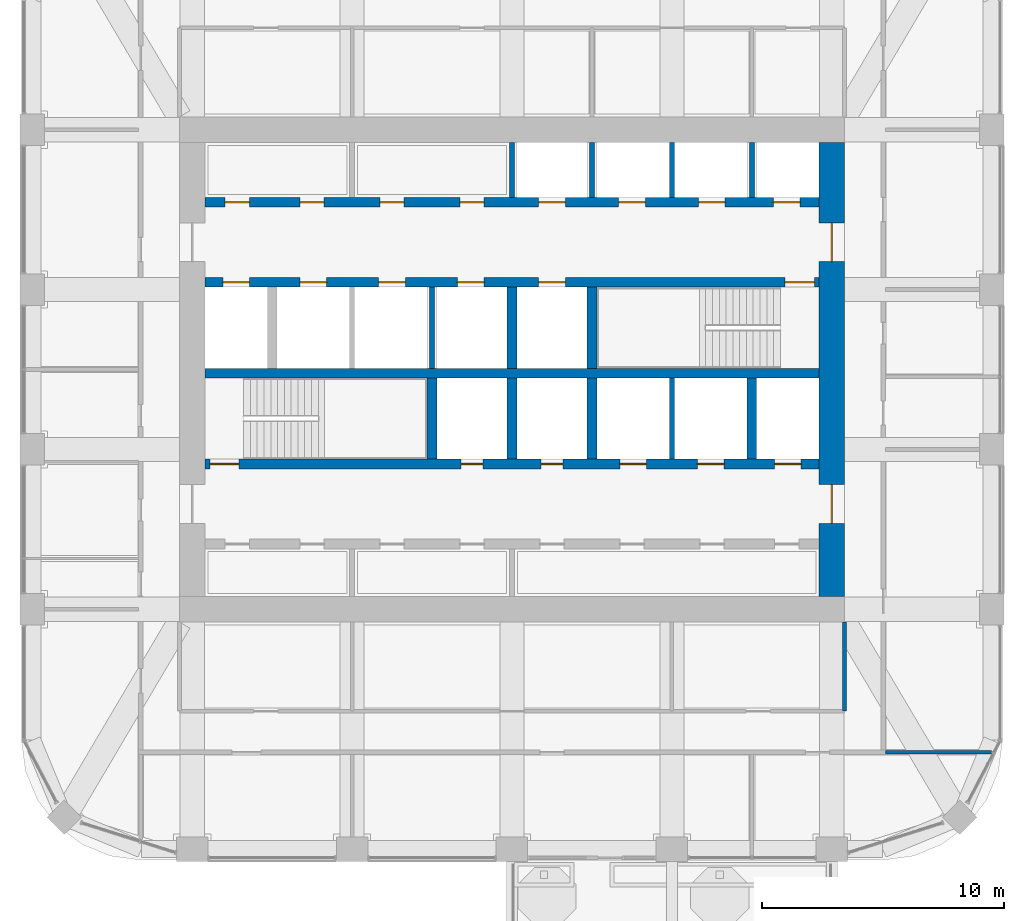
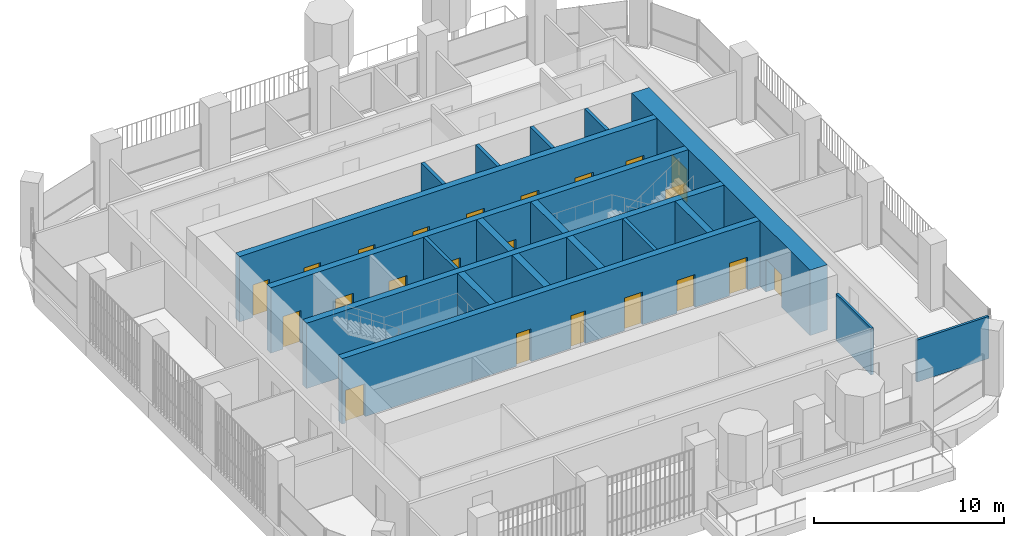
# One storey, part 15 of 21: 22 doors, 19 walls, 22 openings.
"""IFC4 building model written with IfcOpenShell, lengths in metres."""

from ifc_helpers import new_model, si_unit, direction, frame, frame_2d, origin, place, context, subcontext, project, spatial, rectangle, extrude, material, layer, layer_set, type_object, element, fill, save


model = new_model("IFC4")

# Units and contexts
model_context = context("Model", 3, precision=1e-05, world=origin(), true_north=direction((0.0, 1.0)))
body_context = subcontext(model_context, "Body", "Model", "MODEL_VIEW")
ifc_project = project(units=[si_unit("LENGTHUNIT", "METRE"), si_unit("AREAUNIT", "SQUARE_METRE"), si_unit("VOLUMEUNIT", "CUBIC_METRE"), si_unit("PLANEANGLEUNIT", "RADIAN"), si_unit("MASSUNIT", "GRAM", prefix="KILO")], contexts=[model_context])

# Site, building, storey
site_placement = place(None, origin())
site = spatial("IfcSite", under=ifc_project, at=site_placement, CompositionType="ELEMENT")
building_placement = place(site_placement, origin())
building = spatial("IfcBuilding", under=site, at=building_placement, Name="Cobogo Forest Laboratory Tower", CompositionType="ELEMENT")
storey_placement = place(building_placement, frame((0.0, 0.0, 241.800048828125)))
storey = spatial("IfcBuildingStorey", under=building, at=storey_placement, Name="L55", CompositionType="ELEMENT", Elevation=241.800048828125)

# Wall, openings, doors
ifc_material_1 = material(Name="Concrete HA-50 (C50/60)", Category="concrete")
ifc_layer_1 = layer(ifc_material_1, 0.39990234375)
ifc_layer_set_1 = layer_set([ifc_layer_1], Name="CI400 core inner wall 400")
wall_type_1 = type_object("IfcWallType", Name="CI400 core inner wall 400", PredefinedType="SHEAR", material=ifc_layer_set_1)
wall_1_placement = place(storey_placement, frame((13.72509765625, 19.199951171875, 0.0), z_axis=(0.0, 0.0, 1.0), x_axis=(1.0, 0.0, 0.0)))
wall_1 = element("IfcWall", 1, at=wall_1_placement, inside=storey, type_object=wall_type_1, Name="Core wall CI-19.2 L55", PredefinedType="SHEAR", context=body_context, shape_type="SweptSolid", body=[
    extrude(rectangle(XDim=25.349853515625, YDim=0.39990234375, at=frame_2d((12.6748046875, 0.0))), origin(), (0.0, 0.0, 1.0), 4.199951171875),
])
opening_1_placement = place(wall_1_placement, frame((10.574951171875, 0.0, 0.0)))
opening_1 = element("IfcOpeningElement", 2, at=opening_1_placement, cuts=wall_1, Name="Opening L55-D23", PredefinedType="OPENING", context=body_context, shape_type="SweptSolid", body=[
    extrude(rectangle(XDim=0.89990234375, YDim=2.10009765625, at=frame_2d((0.449951171875, 1.050048828125))), frame((0.0, 0.2099609375, 0.0), z_axis=(0.0, -1.0, 0.0), x_axis=(1.0, 0.0, 0.0)), (0.0, 0.0, 1.0), 0.419921875),
])
opening_2_placement = place(wall_1_placement, frame((13.875, 0.0, 0.0)))
opening_2 = element("IfcOpeningElement", 3, at=opening_2_placement, cuts=wall_1, Name="Opening L55-D24", PredefinedType="OPENING", context=body_context, shape_type="SweptSolid", body=[
    extrude(rectangle(XDim=0.89990234375, YDim=2.10009765625, at=frame_2d((0.449951171875, 1.050048828125))), frame((0.0, 0.2099609375, 0.0), z_axis=(0.0, -1.0, 0.0), x_axis=(1.0, 0.0, 0.0)), (0.0, 0.0, 1.0), 0.419921875),
])
opening_3_placement = place(wall_1_placement, frame((0.199951171875, 0.0, 0.0)))
opening_3 = element("IfcOpeningElement", 4, at=opening_3_placement, cuts=wall_1, Name="Opening L55-D22", PredefinedType="OPENING", context=body_context, shape_type="SweptSolid", body=[
    extrude(rectangle(XDim=1.199951171875, YDim=2.10009765625, at=frame_2d((0.60009765625, 1.050048828125))), frame((0.0, 0.2099609375, 0.0), z_axis=(0.0, -1.0, 0.0), x_axis=(1.0, 0.0, 0.0)), (0.0, 0.0, 1.0), 0.419921875),
])
opening_4_placement = place(wall_1_placement, frame((23.512451171875, 0.0, 0.0)))
opening_4 = element("IfcOpeningElement", 5, at=opening_4_placement, cuts=wall_1, Name="Opening L55-LD-FL2", PredefinedType="OPENING", context=body_context, shape_type="SweptSolid", body=[
    extrude(rectangle(XDim=1.10009765625, YDim=2.10009765625, at=frame_2d((0.550048828125, 1.050048828125))), frame((0.0, 0.2099609375, 0.0), z_axis=(0.0, -1.0, 0.0), x_axis=(1.0, 0.0, 0.0)), (0.0, 0.0, 1.0), 0.419921875),
])
opening_5_placement = place(wall_1_placement, frame((17.125, 0.0, 0.0)))
opening_5 = element("IfcOpeningElement", 6, at=opening_5_placement, cuts=wall_1, Name="Opening L55-LD-LS1", PredefinedType="OPENING", context=body_context, shape_type="SweptSolid", body=[
    extrude(rectangle(XDim=1.10009765625, YDim=2.10009765625, at=frame_2d((0.550048828125, 1.050048828125))), frame((0.0, 0.2099609375, 0.0), z_axis=(0.0, -1.0, 0.0), x_axis=(1.0, 0.0, 0.0)), (0.0, 0.0, 1.0), 0.419921875),
])
opening_6_placement = place(wall_1_placement, frame((20.324951171875, 0.0, 0.0)))
opening_6 = element("IfcOpeningElement", 7, at=opening_6_placement, cuts=wall_1, Name="Opening L55-LD-LS2", PredefinedType="OPENING", context=body_context, shape_type="SweptSolid", body=[
    extrude(rectangle(XDim=1.10009765625, YDim=2.10009765625, at=frame_2d((0.550048828125, 1.050048828125))), frame((0.0, 0.2099609375, 0.0), z_axis=(0.0, -1.0, 0.0), x_axis=(1.0, 0.0, 0.0)), (0.0, 0.0, 1.0), 0.419921875),
])
ifc_material_2 = material(Name="Steel fire door", Category="steel")
door_type_1 = type_object("IfcDoorType", Name="DS1 protected stair door 1200 EI2 60", OperationType="SINGLE_SWING_LEFT", PredefinedType="DOOR", material=ifc_material_2)
door_1_placement = place(opening_3_placement, origin())
door_1 = element("IfcDoor", 8, at=door_1_placement, inside=storey, type_object=door_type_1, Name="Door L55-ST1", OperationType="SINGLE_SWING_LEFT", OverallHeight=2.10009765625, OverallWidth=1.199951171875, PredefinedType="DOOR", context=body_context, shape_type="SweptSolid", body=[
    extrude(rectangle(XDim=1.199951171875, YDim=2.10009765625, at=frame_2d((0.60009765625, 1.050048828125))), frame((0.0, 0.02490234375, 0.0), z_axis=(0.0, -1.0, 0.0), x_axis=(1.0, 0.0, 0.0)), (0.0, 0.0, 1.0), 0.050048828125),
])
fill(opening_3, door_1)
door_type_2 = type_object("IfcDoorType", Name="FD4 riser access door 900 EI2 60", OperationType="SINGLE_SWING_LEFT", PredefinedType="DOOR", material=ifc_material_2)
door_2_placement = place(opening_1_placement, origin())
door_2 = element("IfcDoor", 9, at=door_2_placement, inside=storey, type_object=door_type_2, Name="Door L55-R1", OperationType="SINGLE_SWING_LEFT", OverallHeight=2.10009765625, OverallWidth=0.89990234375, PredefinedType="DOOR", context=body_context, shape_type="SweptSolid", body=[
    extrude(rectangle(XDim=0.89990234375, YDim=2.10009765625, at=frame_2d((0.449951171875, 1.050048828125))), frame((0.0, 0.02490234375, 0.0), z_axis=(0.0, -1.0, 0.0), x_axis=(1.0, 0.0, 0.0)), (0.0, 0.0, 1.0), 0.050048828125),
])
fill(opening_1, door_2)
door_3_placement = place(opening_2_placement, origin())
door_3 = element("IfcDoor", 10, at=door_3_placement, inside=storey, type_object=door_type_2, Name="Door L55-R2", OperationType="SINGLE_SWING_RIGHT", OverallHeight=2.10009765625, OverallWidth=0.89990234375, PredefinedType="DOOR", context=body_context, shape_type="SweptSolid", body=[
    extrude(rectangle(XDim=0.89990234375, YDim=2.10009765625, at=frame_2d((0.449951171875, 1.050048828125))), frame((0.0, 0.02490234375, 0.0), z_axis=(0.0, -1.0, 0.0), x_axis=(1.0, 0.0, 0.0)), (0.0, 0.0, 1.0), 0.050048828125),
])
fill(opening_2, door_3)
ifc_material_3 = material(Name="Stainless steel lift door", Category="steel")
door_type_3 = type_object("IfcDoorType", Name="LD lift landing door 1100", OperationType="DOUBLE_DOOR_SLIDING", PredefinedType="DOOR", material=ifc_material_3)
door_4_placement = place(opening_4_placement, origin())
door_4 = element("IfcDoor", 11, at=door_4_placement, inside=storey, type_object=door_type_3, Name="Lift landing door FL2 L55", OperationType="DOUBLE_DOOR_SLIDING", OverallHeight=2.10009765625, OverallWidth=1.10009765625, PredefinedType="DOOR", context=body_context, shape_type="SweptSolid", body=[
    extrude(rectangle(XDim=1.10009765625, YDim=2.10009765625, at=frame_2d((0.550048828125, 1.050048828125))), frame((0.0, 0.02490234375, 0.0), z_axis=(0.0, -1.0, 0.0), x_axis=(1.0, 0.0, 0.0)), (0.0, 0.0, 1.0), 0.050048828125),
])
fill(opening_4, door_4)
door_5_placement = place(opening_5_placement, origin())
door_5 = element("IfcDoor", 12, at=door_5_placement, inside=storey, type_object=door_type_3, Name="Lift landing door LS1 L55", OperationType="DOUBLE_DOOR_SLIDING", OverallHeight=2.10009765625, OverallWidth=1.10009765625, PredefinedType="DOOR", context=body_context, shape_type="SweptSolid", body=[
    extrude(rectangle(XDim=1.10009765625, YDim=2.10009765625, at=frame_2d((0.550048828125, 1.050048828125))), frame((0.0, 0.02490234375, 0.0), z_axis=(0.0, -1.0, 0.0), x_axis=(1.0, 0.0, 0.0)), (0.0, 0.0, 1.0), 0.050048828125),
])
fill(opening_5, door_5)
door_6_placement = place(opening_6_placement, origin())
door_6 = element("IfcDoor", 13, at=door_6_placement, inside=storey, type_object=door_type_3, Name="Lift landing door LS2 L55", OperationType="DOUBLE_DOOR_SLIDING", OverallHeight=2.10009765625, OverallWidth=1.10009765625, PredefinedType="DOOR", context=body_context, shape_type="SweptSolid", body=[
    extrude(rectangle(XDim=1.10009765625, YDim=2.10009765625, at=frame_2d((0.550048828125, 1.050048828125))), frame((0.0, 0.02490234375, 0.0), z_axis=(0.0, -1.0, 0.0), x_axis=(1.0, 0.0, 0.0)), (0.0, 0.0, 1.0), 0.050048828125),
])
fill(opening_6, door_6)

# Wall
wall_2_placement = place(storey_placement, frame((13.72509765625, 22.949951171875, 0.0), z_axis=(0.0, 0.0, 1.0), x_axis=(1.0, 0.0, 0.0)))
element("IfcWall", 14, at=wall_2_placement, inside=storey, type_object=wall_type_1, Name="Core wall CI-22.95 L55", PredefinedType="SHEAR", context=body_context, shape_type="SweptSolid", body=[
    extrude(rectangle(XDim=25.349853515625, YDim=0.39990234375, at=frame_2d((12.6748046875, 0.0))), origin(), (0.0, 0.0, 1.0), 4.199951171875),
])

# Wall, openings, doors
wall_3_placement = place(storey_placement, frame((13.72509765625, 26.699951171875, 0.0), z_axis=(0.0, 0.0, 1.0), x_axis=(1.0, 0.0, 0.0)))
wall_3 = element("IfcWall", 15, at=wall_3_placement, inside=storey, type_object=wall_type_1, Name="Core wall CI-26.7 L55", PredefinedType="SHEAR", context=body_context, shape_type="SweptSolid", body=[
    extrude(rectangle(XDim=25.349853515625, YDim=0.39990234375, at=frame_2d((12.6748046875, 0.0))), origin(), (0.0, 0.0, 1.0), 4.199951171875),
])
opening_7_placement = place(wall_3_placement, frame((23.949951171875, 0.0, 0.0)))
opening_7 = element("IfcOpeningElement", 16, at=opening_7_placement, cuts=wall_3, Name="Opening L55-D28", PredefinedType="OPENING", context=body_context, shape_type="SweptSolid", body=[
    extrude(rectangle(XDim=1.199951171875, YDim=2.10009765625, at=frame_2d((0.60009765625, 1.050048828125))), frame((0.0, 0.2099609375, 0.0), z_axis=(0.0, -1.0, 0.0), x_axis=(1.0, 0.0, 0.0)), (0.0, 0.0, 1.0), 0.419921875),
])
opening_8_placement = place(wall_3_placement, frame((0.737548828125, 0.0, 0.0)))
opening_8 = element("IfcOpeningElement", 17, at=opening_8_placement, cuts=wall_3, Name="Opening L55-LD-FL1", PredefinedType="OPENING", context=body_context, shape_type="SweptSolid", body=[
    extrude(rectangle(XDim=1.10009765625, YDim=2.10009765625, at=frame_2d((0.550048828125, 1.050048828125))), frame((0.0, 0.2099609375, 0.0), z_axis=(0.0, -1.0, 0.0), x_axis=(1.0, 0.0, 0.0)), (0.0, 0.0, 1.0), 0.419921875),
])
opening_9_placement = place(wall_3_placement, frame((3.925048828125, 0.0, 0.0)))
opening_9 = element("IfcOpeningElement", 18, at=opening_9_placement, cuts=wall_3, Name="Opening L55-LD-LS3", PredefinedType="OPENING", context=body_context, shape_type="SweptSolid", body=[
    extrude(rectangle(XDim=1.10009765625, YDim=2.10009765625, at=frame_2d((0.550048828125, 1.050048828125))), frame((0.0, 0.2099609375, 0.0), z_axis=(0.0, -1.0, 0.0), x_axis=(1.0, 0.0, 0.0)), (0.0, 0.0, 1.0), 0.419921875),
])
opening_10_placement = place(wall_3_placement, frame((7.175048828125, 0.0, 0.0)))
opening_10 = element("IfcOpeningElement", 19, at=opening_10_placement, cuts=wall_3, Name="Opening L55-LD-LS4", PredefinedType="OPENING", context=body_context, shape_type="SweptSolid", body=[
    extrude(rectangle(XDim=1.10009765625, YDim=2.10009765625, at=frame_2d((0.550048828125, 1.050048828125))), frame((0.0, 0.2099609375, 0.0), z_axis=(0.0, -1.0, 0.0), x_axis=(1.0, 0.0, 0.0)), (0.0, 0.0, 1.0), 0.419921875),
])
opening_11_placement = place(wall_3_placement, frame((10.425048828125, 0.0, 0.0)))
opening_11 = element("IfcOpeningElement", 20, at=opening_11_placement, cuts=wall_3, Name="Opening L55-LD-LS5", PredefinedType="OPENING", context=body_context, shape_type="SweptSolid", body=[
    extrude(rectangle(XDim=1.10009765625, YDim=2.10009765625, at=frame_2d((0.550048828125, 1.050048828125))), frame((0.0, 0.2099609375, 0.0), z_axis=(0.0, -1.0, 0.0), x_axis=(1.0, 0.0, 0.0)), (0.0, 0.0, 1.0), 0.419921875),
])
opening_12_placement = place(wall_3_placement, frame((13.77490234375, 0.0, 0.0)))
opening_12 = element("IfcOpeningElement", 21, at=opening_12_placement, cuts=wall_3, Name="Opening L55-LD-LS6", PredefinedType="OPENING", context=body_context, shape_type="SweptSolid", body=[
    extrude(rectangle(XDim=1.10009765625, YDim=2.10009765625, at=frame_2d((0.550048828125, 1.050048828125))), frame((0.0, 0.2099609375, 0.0), z_axis=(0.0, -1.0, 0.0), x_axis=(1.0, 0.0, 0.0)), (0.0, 0.0, 1.0), 0.419921875),
])
door_7_placement = place(opening_7_placement, origin())
door_7 = element("IfcDoor", 22, at=door_7_placement, inside=storey, type_object=door_type_1, Name="Door L55-ST2", OperationType="SINGLE_SWING_RIGHT", OverallHeight=2.10009765625, OverallWidth=1.199951171875, PredefinedType="DOOR", context=body_context, shape_type="SweptSolid", body=[
    extrude(rectangle(XDim=1.199951171875, YDim=2.10009765625, at=frame_2d((0.60009765625, 1.050048828125))), frame((0.0, 0.02490234375, 0.0), z_axis=(0.0, -1.0, 0.0), x_axis=(1.0, 0.0, 0.0)), (0.0, 0.0, 1.0), 0.050048828125),
])
fill(opening_7, door_7)
door_8_placement = place(opening_8_placement, origin())
door_8 = element("IfcDoor", 23, at=door_8_placement, inside=storey, type_object=door_type_3, Name="Lift landing door FL1 L55", OperationType="DOUBLE_DOOR_SLIDING", OverallHeight=2.10009765625, OverallWidth=1.10009765625, PredefinedType="DOOR", context=body_context, shape_type="SweptSolid", body=[
    extrude(rectangle(XDim=1.10009765625, YDim=2.10009765625, at=frame_2d((0.550048828125, 1.050048828125))), frame((0.0, 0.02490234375, 0.0), z_axis=(0.0, -1.0, 0.0), x_axis=(1.0, 0.0, 0.0)), (0.0, 0.0, 1.0), 0.050048828125),
])
fill(opening_8, door_8)
door_9_placement = place(opening_9_placement, origin())
door_9 = element("IfcDoor", 24, at=door_9_placement, inside=storey, type_object=door_type_3, Name="Lift landing door LS3 L55", OperationType="DOUBLE_DOOR_SLIDING", OverallHeight=2.10009765625, OverallWidth=1.10009765625, PredefinedType="DOOR", context=body_context, shape_type="SweptSolid", body=[
    extrude(rectangle(XDim=1.10009765625, YDim=2.10009765625, at=frame_2d((0.550048828125, 1.050048828125))), frame((0.0, 0.02490234375, 0.0), z_axis=(0.0, -1.0, 0.0), x_axis=(1.0, 0.0, 0.0)), (0.0, 0.0, 1.0), 0.050048828125),
])
fill(opening_9, door_9)
door_10_placement = place(opening_10_placement, origin())
door_10 = element("IfcDoor", 25, at=door_10_placement, inside=storey, type_object=door_type_3, Name="Lift landing door LS4 L55", OperationType="DOUBLE_DOOR_SLIDING", OverallHeight=2.10009765625, OverallWidth=1.10009765625, PredefinedType="DOOR", context=body_context, shape_type="SweptSolid", body=[
    extrude(rectangle(XDim=1.10009765625, YDim=2.10009765625, at=frame_2d((0.550048828125, 1.050048828125))), frame((0.0, 0.02490234375, 0.0), z_axis=(0.0, -1.0, 0.0), x_axis=(1.0, 0.0, 0.0)), (0.0, 0.0, 1.0), 0.050048828125),
])
fill(opening_10, door_10)
door_11_placement = place(opening_11_placement, origin())
door_11 = element("IfcDoor", 26, at=door_11_placement, inside=storey, type_object=door_type_3, Name="Lift landing door LS5 L55", OperationType="DOUBLE_DOOR_SLIDING", OverallHeight=2.10009765625, OverallWidth=1.10009765625, PredefinedType="DOOR", context=body_context, shape_type="SweptSolid", body=[
    extrude(rectangle(XDim=1.10009765625, YDim=2.10009765625, at=frame_2d((0.550048828125, 1.050048828125))), frame((0.0, 0.02490234375, 0.0), z_axis=(0.0, -1.0, 0.0), x_axis=(1.0, 0.0, 0.0)), (0.0, 0.0, 1.0), 0.050048828125),
])
fill(opening_11, door_11)
door_12_placement = place(opening_12_placement, origin())
door_12 = element("IfcDoor", 27, at=door_12_placement, inside=storey, type_object=door_type_3, Name="Lift landing door LS6 L55", OperationType="DOUBLE_DOOR_SLIDING", OverallHeight=2.10009765625, OverallWidth=1.10009765625, PredefinedType="DOOR", context=body_context, shape_type="SweptSolid", body=[
    extrude(rectangle(XDim=1.10009765625, YDim=2.10009765625, at=frame_2d((0.550048828125, 1.050048828125))), frame((0.0, 0.02490234375, 0.0), z_axis=(0.0, -1.0, 0.0), x_axis=(1.0, 0.0, 0.0)), (0.0, 0.0, 1.0), 0.050048828125),
])
fill(opening_12, door_12)

wall_4_placement = place(storey_placement, frame((13.72509765625, 30.0, 0.0), z_axis=(0.0, 0.0, 1.0), x_axis=(1.0, 0.0, 0.0)))
wall_4 = element("IfcWall", 28, at=wall_4_placement, inside=storey, type_object=wall_type_1, Name="Core wall CI-30.0 L55", PredefinedType="SHEAR", context=body_context, shape_type="SweptSolid", body=[
    extrude(rectangle(XDim=25.349853515625, YDim=0.39990234375, at=frame_2d((12.6748046875, 0.0))), origin(), (0.0, 0.0, 1.0), 4.199951171875),
])
opening_13_placement = place(wall_4_placement, frame((0.83740234375, 0.0, 0.0)))
opening_13 = element("IfcOpeningElement", 29, at=opening_13_placement, cuts=wall_4, Name="Opening L55-D33", PredefinedType="OPENING", context=body_context, shape_type="SweptSolid", body=[
    extrude(rectangle(XDim=1.0, YDim=2.10009765625, at=frame_2d((0.5, 1.050048828125))), frame((0.0, 0.2099609375, 0.0), z_axis=(0.0, -1.0, 0.0), x_axis=(1.0, 0.0, 0.0)), (0.0, 0.0, 1.0), 0.419921875),
])
opening_14_placement = place(wall_4_placement, frame((3.925048828125, 0.0, 0.0)))
opening_14 = element("IfcOpeningElement", 30, at=opening_14_placement, cuts=wall_4, Name="Opening L55-D34", PredefinedType="OPENING", context=body_context, shape_type="SweptSolid", body=[
    extrude(rectangle(XDim=1.0, YDim=2.10009765625, at=frame_2d((0.5, 1.050048828125))), frame((0.0, 0.2099609375, 0.0), z_axis=(0.0, -1.0, 0.0), x_axis=(1.0, 0.0, 0.0)), (0.0, 0.0, 1.0), 0.419921875),
])
opening_15_placement = place(wall_4_placement, frame((7.22509765625, 0.0, 0.0)))
opening_15 = element("IfcOpeningElement", 31, at=opening_15_placement, cuts=wall_4, Name="Opening L55-D35", PredefinedType="OPENING", context=body_context, shape_type="SweptSolid", body=[
    extrude(rectangle(XDim=1.0, YDim=2.10009765625, at=frame_2d((0.5, 1.050048828125))), frame((0.0, 0.2099609375, 0.0), z_axis=(0.0, -1.0, 0.0), x_axis=(1.0, 0.0, 0.0)), (0.0, 0.0, 1.0), 0.419921875),
])
opening_16_placement = place(wall_4_placement, frame((10.52490234375, 0.0, 0.0)))
opening_16 = element("IfcOpeningElement", 32, at=opening_16_placement, cuts=wall_4, Name="Opening L55-D36", PredefinedType="OPENING", context=body_context, shape_type="SweptSolid", body=[
    extrude(rectangle(XDim=1.0, YDim=2.10009765625, at=frame_2d((0.5, 1.050048828125))), frame((0.0, 0.2099609375, 0.0), z_axis=(0.0, -1.0, 0.0), x_axis=(1.0, 0.0, 0.0)), (0.0, 0.0, 1.0), 0.419921875),
])
opening_17_placement = place(wall_4_placement, frame((13.77490234375, 0.0, 0.0)))
opening_17 = element("IfcOpeningElement", 33, at=opening_17_placement, cuts=wall_4, Name="Opening L55-LD-LD1", PredefinedType="OPENING", context=body_context, shape_type="SweptSolid", body=[
    extrude(rectangle(XDim=1.10009765625, YDim=2.10009765625, at=frame_2d((0.550048828125, 1.050048828125))), frame((0.0, 0.2099609375, 0.0), z_axis=(0.0, -1.0, 0.0), x_axis=(1.0, 0.0, 0.0)), (0.0, 0.0, 1.0), 0.419921875),
])
opening_18_placement = place(wall_4_placement, frame((17.074951171875, 0.0, 0.0)))
opening_18 = element("IfcOpeningElement", 34, at=opening_18_placement, cuts=wall_4, Name="Opening L55-LD-LD2", PredefinedType="OPENING", context=body_context, shape_type="SweptSolid", body=[
    extrude(rectangle(XDim=1.10009765625, YDim=2.10009765625, at=frame_2d((0.550048828125, 1.050048828125))), frame((0.0, 0.2099609375, 0.0), z_axis=(0.0, -1.0, 0.0), x_axis=(1.0, 0.0, 0.0)), (0.0, 0.0, 1.0), 0.419921875),
])
opening_19_placement = place(wall_4_placement, frame((20.375, 0.0, 0.0)))
opening_19 = element("IfcOpeningElement", 35, at=opening_19_placement, cuts=wall_4, Name="Opening L55-LD-LD3", PredefinedType="OPENING", context=body_context, shape_type="SweptSolid", body=[
    extrude(rectangle(XDim=1.10009765625, YDim=2.10009765625, at=frame_2d((0.550048828125, 1.050048828125))), frame((0.0, 0.2099609375, 0.0), z_axis=(0.0, -1.0, 0.0), x_axis=(1.0, 0.0, 0.0)), (0.0, 0.0, 1.0), 0.419921875),
])
opening_20_placement = place(wall_4_placement, frame((23.46240234375, 0.0, 0.0)))
opening_20 = element("IfcOpeningElement", 36, at=opening_20_placement, cuts=wall_4, Name="Opening L55-LD-LD4", PredefinedType="OPENING", context=body_context, shape_type="SweptSolid", body=[
    extrude(rectangle(XDim=1.10009765625, YDim=2.10009765625, at=frame_2d((0.550048828125, 1.050048828125))), frame((0.0, 0.2099609375, 0.0), z_axis=(0.0, -1.0, 0.0), x_axis=(1.0, 0.0, 0.0)), (0.0, 0.0, 1.0), 0.419921875),
])
door_type_4 = type_object("IfcDoorType", Name="FD1 fire door 1000 EI2 60", OperationType="SINGLE_SWING_LEFT", PredefinedType="DOOR", material=ifc_material_2)
door_13_placement = place(opening_13_placement, origin())
door_13 = element("IfcDoor", 37, at=door_13_placement, inside=storey, type_object=door_type_4, Name="Door L55-SH-LC1", OperationType="SINGLE_SWING_LEFT", OverallHeight=2.10009765625, OverallWidth=1.0, PredefinedType="DOOR", context=body_context, shape_type="SweptSolid", body=[
    extrude(rectangle(XDim=1.0, YDim=2.10009765625, at=frame_2d((0.5, 1.050048828125))), frame((0.0, 0.02490234375, 0.0), z_axis=(0.0, -1.0, 0.0), x_axis=(1.0, 0.0, 0.0)), (0.0, 0.0, 1.0), 0.050048828125),
])
fill(opening_13, door_13)
door_14_placement = place(opening_14_placement, origin())
door_14 = element("IfcDoor", 38, at=door_14_placement, inside=storey, type_object=door_type_4, Name="Door L55-SH-LC2", OperationType="SINGLE_SWING_LEFT", OverallHeight=2.10009765625, OverallWidth=1.0, PredefinedType="DOOR", context=body_context, shape_type="SweptSolid", body=[
    extrude(rectangle(XDim=1.0, YDim=2.10009765625, at=frame_2d((0.5, 1.050048828125))), frame((0.0, 0.02490234375, 0.0), z_axis=(0.0, -1.0, 0.0), x_axis=(1.0, 0.0, 0.0)), (0.0, 0.0, 1.0), 0.050048828125),
])
fill(opening_14, door_14)
door_15_placement = place(opening_15_placement, origin())
door_15 = element("IfcDoor", 39, at=door_15_placement, inside=storey, type_object=door_type_4, Name="Door L55-SH-LC3", OperationType="SINGLE_SWING_LEFT", OverallHeight=2.10009765625, OverallWidth=1.0, PredefinedType="DOOR", context=body_context, shape_type="SweptSolid", body=[
    extrude(rectangle(XDim=1.0, YDim=2.10009765625, at=frame_2d((0.5, 1.050048828125))), frame((0.0, 0.02490234375, 0.0), z_axis=(0.0, -1.0, 0.0), x_axis=(1.0, 0.0, 0.0)), (0.0, 0.0, 1.0), 0.050048828125),
])
fill(opening_15, door_15)
door_16_placement = place(opening_16_placement, origin())
door_16 = element("IfcDoor", 40, at=door_16_placement, inside=storey, type_object=door_type_4, Name="Door L55-SH-LC4", OperationType="SINGLE_SWING_LEFT", OverallHeight=2.10009765625, OverallWidth=1.0, PredefinedType="DOOR", context=body_context, shape_type="SweptSolid", body=[
    extrude(rectangle(XDim=1.0, YDim=2.10009765625, at=frame_2d((0.5, 1.050048828125))), frame((0.0, 0.02490234375, 0.0), z_axis=(0.0, -1.0, 0.0), x_axis=(1.0, 0.0, 0.0)), (0.0, 0.0, 1.0), 0.050048828125),
])
fill(opening_16, door_16)
door_17_placement = place(opening_17_placement, origin())
door_17 = element("IfcDoor", 41, at=door_17_placement, inside=storey, type_object=door_type_3, Name="Lift landing door LD1 L55", OperationType="DOUBLE_DOOR_SLIDING", OverallHeight=2.10009765625, OverallWidth=1.10009765625, PredefinedType="DOOR", context=body_context, shape_type="SweptSolid", body=[
    extrude(rectangle(XDim=1.10009765625, YDim=2.10009765625, at=frame_2d((0.550048828125, 1.050048828125))), frame((0.0, 0.02490234375, 0.0), z_axis=(0.0, -1.0, 0.0), x_axis=(1.0, 0.0, 0.0)), (0.0, 0.0, 1.0), 0.050048828125),
])
fill(opening_17, door_17)
door_18_placement = place(opening_18_placement, origin())
door_18 = element("IfcDoor", 42, at=door_18_placement, inside=storey, type_object=door_type_3, Name="Lift landing door LD2 L55", OperationType="DOUBLE_DOOR_SLIDING", OverallHeight=2.10009765625, OverallWidth=1.10009765625, PredefinedType="DOOR", context=body_context, shape_type="SweptSolid", body=[
    extrude(rectangle(XDim=1.10009765625, YDim=2.10009765625, at=frame_2d((0.550048828125, 1.050048828125))), frame((0.0, 0.02490234375, 0.0), z_axis=(0.0, -1.0, 0.0), x_axis=(1.0, 0.0, 0.0)), (0.0, 0.0, 1.0), 0.050048828125),
])
fill(opening_18, door_18)
door_19_placement = place(opening_19_placement, origin())
door_19 = element("IfcDoor", 43, at=door_19_placement, inside=storey, type_object=door_type_3, Name="Lift landing door LD3 L55", OperationType="DOUBLE_DOOR_SLIDING", OverallHeight=2.10009765625, OverallWidth=1.10009765625, PredefinedType="DOOR", context=body_context, shape_type="SweptSolid", body=[
    extrude(rectangle(XDim=1.10009765625, YDim=2.10009765625, at=frame_2d((0.550048828125, 1.050048828125))), frame((0.0, 0.02490234375, 0.0), z_axis=(0.0, -1.0, 0.0), x_axis=(1.0, 0.0, 0.0)), (0.0, 0.0, 1.0), 0.050048828125),
])
fill(opening_19, door_19)
door_20_placement = place(opening_20_placement, origin())
door_20 = element("IfcDoor", 44, at=door_20_placement, inside=storey, type_object=door_type_3, Name="Lift landing door LD4 L55", OperationType="DOUBLE_DOOR_SLIDING", OverallHeight=2.10009765625, OverallWidth=1.10009765625, PredefinedType="DOOR", context=body_context, shape_type="SweptSolid", body=[
    extrude(rectangle(XDim=1.10009765625, YDim=2.10009765625, at=frame_2d((0.550048828125, 1.050048828125))), frame((0.0, 0.02490234375, 0.0), z_axis=(0.0, -1.0, 0.0), x_axis=(1.0, 0.0, 0.0)), (0.0, 0.0, 1.0), 0.050048828125),
])
fill(opening_20, door_20)

# Walls
for number, where, z_axis, x_axis, name in (
    (45, (23.10009765625, 19.39990234375, 0.0), (0.0, 0.0, 1.0), (0.0, 1.0, 0.0), "Core wall CX-23.1 L55"),
    (46, (26.39990234375, 19.39990234375, 0.0), (0.0, 0.0, 1.0), (0.0, 1.0, 0.0), "Core wall CX-26.4S L55"),
    (47, (29.699951171875, 19.39990234375, 0.0), (0.0, 0.0, 1.0), (0.0, 1.0, 0.0), "Core wall CX-29.7S L55"),
    (48, (36.300048828125, 19.39990234375, 0.0), (0.0, 0.0, 1.0), (0.0, 1.0, 0.0), "Core wall CX-36.3 L55"),
    (49, (26.39990234375, 23.14990234375, 0.0), (0.0, 0.0, 1.0), (0.0, 1.0, 0.0), "Core wall CX-26.4N L55"),
    (50, (29.699951171875, 23.14990234375, 0.0), (0.0, 0.0, 1.0), (0.0, 1.0, 0.0), "Core wall CX-29.7N L55"),
):
    element("IfcWall", number, at=place(storey_placement, frame(where, z_axis=z_axis, x_axis=x_axis)), inside=storey, type_object=wall_type_1, Name=name, PredefinedType="SHEAR", context=body_context, shape_type="SweptSolid", body=[
        extrude(rectangle(XDim=3.35009765625, YDim=0.39990234375, at=frame_2d((1.675048828125, 0.0))), origin(), (0.0, 0.0, 1.0), 4.199951171875),
    ])

# Wall, openings, doors
ifc_layer_2 = layer(ifc_material_1, 1.050048828125)
ifc_layer_set_2 = layer_set([ifc_layer_2], Name="CW1050 core outer wall 1050")
wall_type_2 = type_object("IfcWallType", Name="CW1050 core outer wall 1050", PredefinedType="SHEAR", material=ifc_layer_set_2)
wall_5_placement = place(storey_placement, frame((39.60009765625, 13.72509765625, 0.0), z_axis=(0.0, 0.0, 1.0), x_axis=(0.0, 1.0, 0.0)))
wall_5 = element("IfcWall", 51, at=wall_5_placement, inside=storey, type_object=wall_type_2, Name="Core wall CO-E L55", PredefinedType="SHEAR", context=body_context, shape_type="SweptSolid", body=[
    extrude(rectangle(XDim=18.75, YDim=1.050048828125, at=frame_2d((9.375, 0.0))), origin(), (0.0, 0.0, 1.0), 4.199951171875),
])
opening_21_placement = place(wall_5_placement, frame((3.02490234375, 0.0, 0.0)))
opening_21 = element("IfcOpeningElement", 52, at=opening_21_placement, cuts=wall_5, Name="Opening L55-D21", PredefinedType="OPENING", context=body_context, shape_type="SweptSolid", body=[
    extrude(rectangle(XDim=1.60009765625, YDim=2.10009765625, at=frame_2d((0.800048828125, 1.050048828125))), frame((0.0, 0.534912109375, 0.0), z_axis=(0.0, -1.0, 0.0), x_axis=(1.0, 0.0, 0.0)), (0.0, 0.0, 1.0), 1.070068359375),
])
opening_22_placement = place(wall_5_placement, frame((13.824951171875, 0.0, 0.0)))
opening_22 = element("IfcOpeningElement", 53, at=opening_22_placement, cuts=wall_5, Name="Opening L55-D31", PredefinedType="OPENING", context=body_context, shape_type="SweptSolid", body=[
    extrude(rectangle(XDim=1.60009765625, YDim=2.10009765625, at=frame_2d((0.800048828125, 1.050048828125))), frame((0.0, 0.534912109375, 0.0), z_axis=(0.0, -1.0, 0.0), x_axis=(1.0, 0.0, 0.0)), (0.0, 0.0, 1.0), 1.070068359375),
])
door_type_5 = type_object("IfcDoorType", Name="DS2 protected lobby door pair 1600 EI2 60", OperationType="DOUBLE_DOOR_DOUBLE_SWING", PredefinedType="DOOR", material=ifc_material_2)
door_21_placement = place(opening_21_placement, origin())
door_21 = element("IfcDoor", 54, at=door_21_placement, inside=storey, type_object=door_type_5, Name="Door L55-CO-E-S", OperationType="DOUBLE_DOOR_DOUBLE_SWING", OverallHeight=2.10009765625, OverallWidth=1.60009765625, PredefinedType="DOOR", context=body_context, shape_type="SweptSolid", body=[
    extrude(rectangle(XDim=1.60009765625, YDim=2.10009765625, at=frame_2d((0.800048828125, 1.050048828125))), frame((0.0, 0.02490234375, 0.0), z_axis=(0.0, -1.0, 0.0), x_axis=(1.0, 0.0, 0.0)), (0.0, 0.0, 1.0), 0.050048828125),
])
fill(opening_21, door_21)
door_22_placement = place(opening_22_placement, origin())
door_22 = element("IfcDoor", 55, at=door_22_placement, inside=storey, type_object=door_type_5, Name="Door L55-CO-E-N", OperationType="DOUBLE_DOOR_DOUBLE_SWING", OverallHeight=2.10009765625, OverallWidth=1.60009765625, PredefinedType="DOOR", context=body_context, shape_type="SweptSolid", body=[
    extrude(rectangle(XDim=1.60009765625, YDim=2.10009765625, at=frame_2d((0.800048828125, 1.050048828125))), frame((0.0, 0.02490234375, 0.0), z_axis=(0.0, -1.0, 0.0), x_axis=(1.0, 0.0, 0.0)), (0.0, 0.0, 1.0), 0.050048828125),
])
fill(opening_22, door_22)

# Walls
ifc_material_4 = material(Name="Gypsum board on steel studs", Category="steel")
ifc_layer_3 = layer(ifc_material_4, 0.14990234375)
ifc_layer_set_3 = layer_set([ifc_layer_3], Name="PT1 laboratory partition 150")
wall_type_3 = type_object("IfcWallType", Name="PT1 laboratory partition 150", PredefinedType="PARTITIONING", material=ifc_layer_set_3)
wall_6_placement = place(storey_placement, frame((40.125, 12.675048828125, 0.0), z_axis=(0.0, 0.0, 1.0), x_axis=(0.0, -1.0, 0.0)))
element("IfcWall", 56, at=wall_6_placement, inside=storey, type_object=wall_type_3, Name="Partition CSTRIP-SE L55", PredefinedType="PARTITIONING", context=body_context, shape_type="SweptSolid", body=[
    extrude(rectangle(XDim=3.675048828125, YDim=0.14990234375, at=frame_2d((1.83740234375, 0.0))), origin(), (0.0, 0.0, 1.0), 3.0),
])
wall_7_placement = place(storey_placement, frame((46.197509765625, 7.300048828125, 0.0), z_axis=(0.0, 0.0, 1.0), x_axis=(-1.0, 0.0, 0.0)))
element("IfcWall", 57, at=wall_7_placement, inside=storey, type_object=wall_type_3, Name="Partition PW-SE L55", PredefinedType="PARTITIONING", context=body_context, shape_type="SweptSolid", body=[
    extrude(rectangle(XDim=4.37255859375, YDim=0.14990234375, at=frame_2d((2.186279296875, 0.0))), origin(), (0.0, 0.0, 1.0), 2.699951171875),
])
ifc_material_5 = material(Name="Concrete block", Category="concrete")
ifc_layer_4 = layer(ifc_material_5, 0.199951171875)
ifc_layer_set_4 = layer_set([ifc_layer_4], Name="SW200 lift shaft separator 200")
wall_type_4 = type_object("IfcWallType", Name="SW200 lift shaft separator 200", PredefinedType="PARTITIONING", material=ifc_layer_set_4)
for number, where, z_axis, x_axis, name in (
    (58, (26.39990234375, 30.199951171875, 0.0), (0.0, 0.0, 1.0), (0.0, 1.0, 0.0), "Core wall SEP-N4 L55"),
    (59, (29.699951171875, 30.199951171875, 0.0), (0.0, 0.0, 1.0), (0.0, 1.0, 0.0), "Core wall SEP-N5 L55"),
    (60, (33.0, 30.199951171875, 0.0), (0.0, 0.0, 1.0), (0.0, 1.0, 0.0), "Core wall SEP-N6 L55"),
    (61, (36.300048828125, 30.199951171875, 0.0), (0.0, 0.0, 1.0), (0.0, 1.0, 0.0), "Core wall SEP-N7 L55"),
):
    element("IfcWall", number, at=place(storey_placement, frame(where, z_axis=z_axis, x_axis=x_axis)), inside=storey, type_object=wall_type_4, Name=name, PredefinedType="PARTITIONING", context=body_context, shape_type="SweptSolid", body=[
        extrude(rectangle(XDim=2.275146484375, YDim=0.199951171875, at=frame_2d((1.1376953125, 0.0))), origin(), (0.0, 0.0, 1.0), 4.199951171875),
    ])
for number, where, z_axis, x_axis, name in (
    (62, (33.0, 19.39990234375, 0.0), (0.0, 0.0, 1.0), (0.0, 1.0, 0.0), "Core wall SEP-M33.0 L55"),
    (63, (23.10009765625, 23.14990234375, 0.0), (0.0, 0.0, 1.0), (0.0, 1.0, 0.0), "Core wall SEP-M23.1 L55"),
):
    element("IfcWall", number, at=place(storey_placement, frame(where, z_axis=z_axis, x_axis=x_axis)), inside=storey, type_object=wall_type_4, Name=name, PredefinedType="PARTITIONING", context=body_context, shape_type="SweptSolid", body=[
        extrude(rectangle(XDim=3.35009765625, YDim=0.199951171875, at=frame_2d((1.675048828125, 0.0))), origin(), (0.0, 0.0, 1.0), 4.199951171875),
    ])

save(model, "model.ifc")
